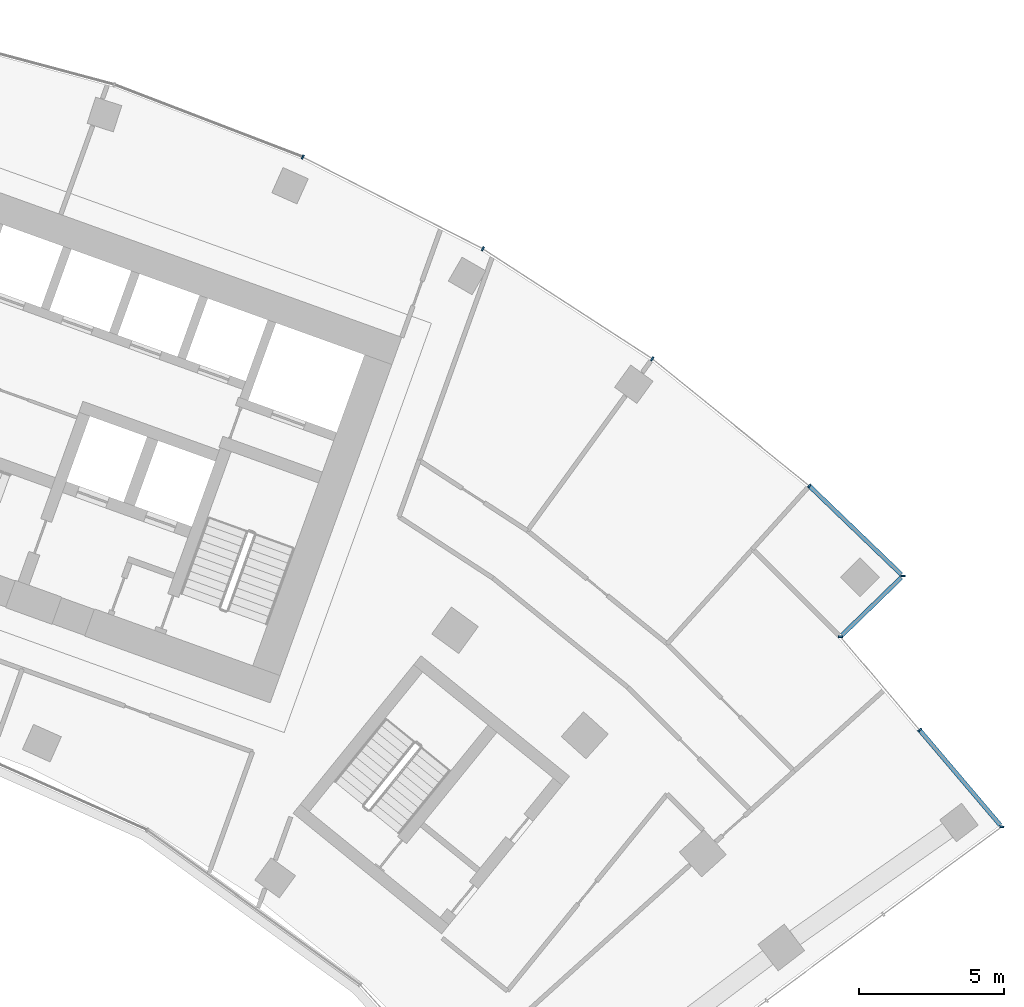
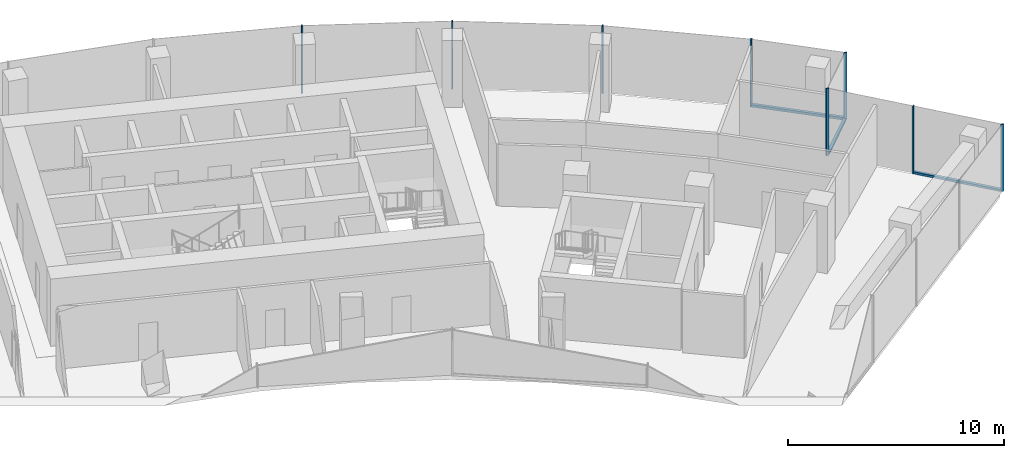
# One storey, part 8 of 18: 11 members, 3 elements without a shape of their own.
"""IFC4 building model written with IfcOpenShell, lengths in metres."""

import ifcopenshell
import ifcopenshell.guid

model = None  # the IFC model being written
_history = None  # IfcOwnerHistory: only IFC2X3 demands one
_inside = {}  # id of a spatial element -> (the spatial element, [elements in it])
_under = {}  # id of a project, library or spatial element -> (it, [spatial elements below it])
_declared = {}  # id of a project -> (the project, [libraries it declares])
_typed = {}  # id of a type object -> (the type object, [elements of that type])
_made_of = {}  # id of a material, layer set ... -> (it, [elements and type objects made of it])


def new_model(schema):
    """Start an empty IFC model of exactly this schema.

    Asked for "IFC4X3", IfcOpenShell would pick the latest addendum, in which some entities
    have other attributes; the version numbers below select the first issue.
    IFC2X3 requires an IfcOwnerHistory on every rooted entity: one is made here for all.
    """
    global model, _history
    if schema == "IFC4X3":
        model = ifcopenshell.file(schema_version=(4, 3, 0, 0))
    else:
        model = ifcopenshell.file(schema=schema)
    _inside.clear()
    _under.clear()
    _declared.clear()
    _typed.clear()
    _made_of.clear()
    _history = None
    if model.schema == "IFC2X3":
        org = make("IfcOrganization", Name="unknown")
        user = make(
            "IfcPersonAndOrganization",
            ThePerson=make("IfcPerson", FamilyName="unknown"),
            TheOrganization=org,
        )
        app = make(
            "IfcApplication",
            ApplicationDeveloper=org,
            Version="unknown",
            ApplicationFullName="unknown",
            ApplicationIdentifier="unknown",
        )
        _history = make(
            "IfcOwnerHistory",
            OwningUser=user,
            OwningApplication=app,
            ChangeAction="ADDED",
            CreationDate=0,
        )
    return model


def make(cls, **values):
    """One entity of the class cls with the attributes given. An attribute that is None is left unset."""
    return model.create_entity(
        cls, **{name: value for name, value in values.items() if value is not None}
    )


def rooted(cls, **values):
    """An entity with a GlobalId (a new one), such as an element, a storey or a relation."""
    return make(cls, GlobalId=ifcopenshell.guid.new(), OwnerHistory=_history, **values)


def si_unit(unit_type, name, prefix=None):
    """IfcSIUnit, for example si_unit("LENGTHUNIT", "METRE", prefix="MILLI")."""
    return make("IfcSIUnit", UnitType=unit_type, Prefix=prefix, Name=name)


def assignment(units):
    """IfcUnitAssignment: the units of a project."""
    return None if units is None else make("IfcUnitAssignment", Units=units)


def point(xyz):
    """IfcCartesianPoint."""
    return None if xyz is None else make("IfcCartesianPoint", Coordinates=xyz)


def direction(xyz):
    """IfcDirection."""
    return None if xyz is None else make("IfcDirection", DirectionRatios=xyz)


def frame(location, z_axis=None, x_axis=None):
    """IfcAxis2Placement3D, a coordinate frame: its origin and axes. An axis left out is left unset."""
    return make(
        "IfcAxis2Placement3D",
        Location=point(location),
        Axis=direction(z_axis),
        RefDirection=direction(x_axis),
    )


def frame_2d(location, x_axis=None):
    """IfcAxis2Placement2D, a coordinate frame in the plane: its origin and x axis."""
    return make(
        "IfcAxis2Placement2D", Location=point(location), RefDirection=direction(x_axis)
    )


def origin():
    """The frame at (0, 0, 0) with its axes left unset."""
    return frame((0.0, 0.0, 0.0))


def origin_2d():
    """The frame at (0, 0) in the plane with its x axis left unset."""
    return frame_2d((0.0, 0.0))


def place(relative_to, where):
    """IfcLocalPlacement: puts the frame where relative to a parent placement (None: the world)."""
    return make(
        "IfcLocalPlacement", PlacementRelTo=relative_to, RelativePlacement=where
    )


def context(
    kind, dimensions, precision=None, world=None, true_north=None, identifier=None
):
    """IfcGeometricRepresentationContext, for example the 3D "Model" context."""
    return make(
        "IfcGeometricRepresentationContext",
        ContextIdentifier=identifier,
        ContextType=kind,
        CoordinateSpaceDimension=dimensions,
        Precision=precision,
        WorldCoordinateSystem=world,
        TrueNorth=true_north,
    )


def subcontext(parent, identifier, kind, view, scale=None):
    """IfcGeometricRepresentationSubContext, for example "Body" below "Model"."""
    return make(
        "IfcGeometricRepresentationSubContext",
        ContextIdentifier=identifier,
        ContextType=kind,
        ParentContext=parent,
        TargetScale=scale,
        TargetView=view,
    )


def project(units=None, contexts=None):
    """IfcProject with its units and contexts."""
    return rooted(
        "IfcProject",
        Name="project",
        RepresentationContexts=contexts,
        UnitsInContext=assignment(units),
    )


def spatial(cls, under=None, at=None, **own):
    """A site, building, storey or space (cls), placed at a placement, below another one or the project."""
    s = rooted(cls, ObjectPlacement=at, **own)
    if under is not None:
        _under.setdefault(under.id(), (under, []))[1].append(s)
    return s


def profile(cls, at=None, kind="AREA", **sizes):
    """A parametric profile (cls). Its sizes go by their IFC names, for example OverallWidth=200.0."""
    return make(cls, ProfileType=kind, Position=at, **sizes)


def rectangle(**sizes):
    """IfcRectangleProfileDef."""
    return profile("IfcRectangleProfileDef", **sizes)


def extrude(swept, where, along, depth):
    """IfcExtrudedAreaSolid: the profile swept, set in the frame where, extruded along a direction by depth."""
    return make(
        "IfcExtrudedAreaSolid",
        SweptArea=swept,
        Position=where,
        ExtrudedDirection=direction(along),
        Depth=depth,
    )


def shape(context_of_items, identifier, shape_type, items):
    """IfcShapeRepresentation: the items that make up one representation, for example the "Body"."""
    return make(
        "IfcShapeRepresentation",
        ContextOfItems=context_of_items,
        RepresentationIdentifier=identifier,
        RepresentationType=shape_type,
        Items=items,
    )


def material(Name=None, Category=None):
    """IfcMaterial."""
    return make("IfcMaterial", Name=Name, Category=Category)


def layer(
    of_material, thickness, ventilated=None, Name=None, Category=None, Priority=None
):
    """IfcMaterialLayer: one layer of a wall or slab, of a material (None: an air gap)."""
    return make(
        "IfcMaterialLayer",
        Material=of_material,
        LayerThickness=thickness,
        IsVentilated=ventilated,
        Name=Name,
        Category=Category,
        Priority=Priority,
    )


def layer_set(layers, Name=None):
    """IfcMaterialLayerSet."""
    return make("IfcMaterialLayerSet", MaterialLayers=layers, LayerSetName=Name)


def material_profile(
    of_material, cross_section, Name=None, Category=None, Priority=None
):
    """IfcMaterialProfile: a cross section and its material."""
    return make(
        "IfcMaterialProfile",
        Name=Name,
        Material=of_material,
        Profile=cross_section,
        Priority=Priority,
        Category=Category,
    )


def profile_set(profiles, Name=None, composite=None):
    """IfcMaterialProfileSet."""
    return make(
        "IfcMaterialProfileSet",
        Name=Name,
        MaterialProfiles=profiles,
        CompositeProfile=composite,
    )


def made_of(thing, what):
    """Note that an element or type object is made of a material, layer set ...; save() writes the relation."""
    if what is not None:
        _made_of.setdefault(what.id(), (what, []))[1].append(thing)
    return thing


def type_object(cls, material=None, **own):
    """A type object (cls), such as IfcWallType, which elements share."""
    return made_of(rooted(cls, **own), material)


def element(
    cls,
    number,
    at=None,
    inside=None,
    cuts=None,
    type_object=None,
    material=None,
    context=None,
    identifier="Body",
    shape_type=None,
    held_by="IfcProductDefinitionShape",
    body=None,
    shapes=None,
    **own,
):
    """One element of the class cls, such as IfcWall. Its Tag is "e" and its number.

    at: its placement. inside: the storey or other place that contains it. cuts: it is an
    opening in that element (IfcRelVoidsElement). A single representation is given by context,
    identifier, shape_type and body (its items); several are given by shapes. held_by: the class
    of the entity that holds the representations. save() writes the other relations.
    """
    e = rooted(cls, Tag="e%d" % number, ObjectPlacement=at, **own)
    if body is not None:
        shapes = [shape(context, identifier, shape_type, body)]
    if shapes is not None:
        e.Representation = make(held_by, Representations=shapes)
    if inside is not None:
        _inside.setdefault(inside.id(), (inside, []))[1].append(e)
    if cuts is not None:
        rooted(
            "IfcRelVoidsElement", RelatingBuildingElement=cuts, RelatedOpeningElement=e
        )
    if type_object is not None:
        _typed.setdefault(type_object.id(), (type_object, []))[1].append(e)
    return made_of(e, material)


def aggregate(whole, parts):
    """IfcRelAggregates: a whole, such as a stair, and the parts it consists of."""
    return rooted("IfcRelAggregates", RelatingObject=whole, RelatedObjects=parts)


def save(model, path):
    """Write the relations noted so far, then the file.

    IfcRelAggregates (storeys below a building ...), IfcRelContainedInSpatialStructure (elements
    in a storey), IfcRelDefinesByType, IfcRelAssociatesMaterial and IfcRelDeclares: one each for
    every whole, place, type object, material and project.
    """
    for whole, parts in _under.values():
        aggregate(whole, parts)
    for where, things in _inside.values():
        rooted(
            "IfcRelContainedInSpatialStructure",
            RelatedElements=things,
            RelatingStructure=where,
        )
    for kind, things in _typed.values():
        rooted("IfcRelDefinesByType", RelatedObjects=things, RelatingType=kind)
    for what, things in _made_of.values():
        rooted("IfcRelAssociatesMaterial", RelatedObjects=things, RelatingMaterial=what)
    for by, libraries in _declared.values():
        rooted("IfcRelDeclares", RelatingContext=by, RelatedDefinitions=libraries)
    model.write(path)


model = new_model("IFC4")

# Units and contexts
model_context = context("Model", 3, precision=1e-05, world=origin(), true_north=direction((0.0, 1.0)))
body_context = subcontext(model_context, "Body", "Model", "MODEL_VIEW")
ifc_project = project(units=[si_unit("LENGTHUNIT", "METRE"), si_unit("AREAUNIT", "SQUARE_METRE"), si_unit("VOLUMEUNIT", "CUBIC_METRE"), si_unit("PLANEANGLEUNIT", "RADIAN"), si_unit("MASSUNIT", "GRAM", prefix="KILO")], contexts=[model_context])

# Site, building, storey
site_placement = place(None, origin())
site = spatial("IfcSite", under=ifc_project, at=site_placement, CompositionType="ELEMENT")
building_placement = place(site_placement, origin())
building = spatial("IfcBuilding", under=site, at=building_placement, Name="Stone Belt Terrace Tower", CompositionType="ELEMENT")
storey_placement = place(building_placement, frame((0.0, 0.0, 239.0)))
storey = spatial("IfcBuildingStorey", under=building, at=storey_placement, Name="L58", CompositionType="ELEMENT", Elevation=239.0)

# Curtain wall, members
ifc_material = material(Name="Aluminium 6063-T6 anodised frame", Category="aluminium")
ifc_layer_1 = layer(ifc_material, 0.14990234375)
ifc_layer_set_1 = layer_set([ifc_layer_1], Name="CW-A unitised convex-face curtain wall")
curtain_wall_type_1 = type_object("IfcCurtainWallType", Name="CW-A unitised convex-face curtain wall", PredefinedType="NOTDEFINED", material=ifc_layer_set_1)
curtain_wall_1_placement = place(storey_placement, origin())
curtain_wall_1 = element("IfcCurtainWall", 1, at=curtain_wall_1_placement, inside=storey, type_object=curtain_wall_type_1, Name="CW-A convex face L58", PredefinedType="NOTDEFINED")
ifc_material_profile_1 = material_profile(ifc_material, rectangle(XDim=0.14990234375, YDim=0.06005859375, at=origin_2d()), Name="Aluminium 6063-T6 60x150")
ifc_profile_set_1 = profile_set([ifc_material_profile_1], Name="Aluminium 6063-T6 anodised frame")
member_type_1 = type_object("IfcMemberType", Name="CW-A mullion 60 x 150", PredefinedType="MULLION", material=ifc_profile_set_1)
member_1_placement = place(storey_placement, frame((47.775390625, 46.369140625, 0.0), z_axis=(0.0, 0.0, 1.0), x_axis=(-0.999996264646, -0.002733257028, 0.0)))
member_1 = element("IfcMember", 2, at=member_1_placement, type_object=member_type_1, Name="CW-A mullion 1", PredefinedType="MULLION", context=body_context, shape_type="SweptSolid", body=[
    extrude(rectangle(XDim=0.14990234375, YDim=0.06005859375, at=origin_2d()), origin(), (0.0, 0.0, 1.0), 3.800048828125),
])
member_2_placement = place(storey_placement, frame((44.546875, 49.475341796875, 0.0), z_axis=(0.0, 0.0, 1.0), x_axis=(-0.661937409618, -0.749559114245, 0.0)))
member_2 = element("IfcMember", 3, at=member_2_placement, type_object=member_type_1, Name="CW-A mullion 2", PredefinedType="MULLION", context=body_context, shape_type="SweptSolid", body=[
    extrude(rectangle(XDim=0.14990234375, YDim=0.06005859375, at=origin_2d()), origin(), (0.0, 0.0, 1.0), 3.800048828125),
])
member_3_placement = place(storey_placement, frame((39.1318359375, 53.8603515625, 0.0), z_axis=(0.0, 0.0, 1.0), x_axis=(-0.587785252292, -0.809016994375, 0.0)))
member_3 = element("IfcMember", 4, at=member_3_placement, type_object=member_type_1, Name="CW-A mullion 3", PredefinedType="MULLION", context=body_context, shape_type="SweptSolid", body=[
    extrude(rectangle(XDim=0.14990234375, YDim=0.06005859375, at=origin_2d()), origin(), (0.0, 0.0, 1.0), 3.800048828125),
])
member_4_placement = place(storey_placement, frame((33.28759765625, 57.65576171875, 0.0), z_axis=(0.0, 0.0, 1.0), x_axis=(-0.5, -0.866025403784, 0.0)))
member_4 = element("IfcMember", 5, at=member_4_placement, type_object=member_type_1, Name="CW-A mullion 4", PredefinedType="MULLION", context=body_context, shape_type="SweptSolid", body=[
    extrude(rectangle(XDim=0.14990234375, YDim=0.06005859375, at=origin_2d()), origin(), (0.0, 0.0, 1.0), 3.800048828125),
])
member_5_placement = place(storey_placement, frame((27.07861328125, 60.8193359375, 0.0), z_axis=(0.0, 0.0, 1.0), x_axis=(-0.406736643076, -0.913545457643, 0.0)))
member_5 = element("IfcMember", 6, at=member_5_placement, type_object=member_type_1, Name="CW-A mullion 5", PredefinedType="MULLION", context=body_context, shape_type="SweptSolid", body=[
    extrude(rectangle(XDim=0.14990234375, YDim=0.06005859375, at=origin_2d()), origin(), (0.0, 0.0, 1.0), 3.800048828125),
])
ifc_material_profile_2 = material_profile(ifc_material, rectangle(XDim=0.14990234375, YDim=0.139892578125, at=origin_2d()), Name="Aluminium 6063-T6 150x140")
ifc_profile_set_2 = profile_set([ifc_material_profile_2], Name="Aluminium 6063-T6 anodised frame")
member_type_2 = type_object("IfcMemberType", Name="CW-A transom 140 x 150", PredefinedType="USERDEFINED", material=ifc_profile_set_2)
member_6_placement = place(storey_placement, frame((47.721435546875, 46.4208984375, 0.070068359375), z_axis=(-0.720600183576, 0.693350831419, 0.0), x_axis=(-0.693350831419, -0.720600183576, 0.0)))
member_6 = element("IfcMember", 7, at=member_6_placement, type_object=member_type_2, Name="CW-A transom 1.1", ObjectType="TRANSOM", PredefinedType="USERDEFINED", context=body_context, shape_type="SweptSolid", body=[
    extrude(rectangle(XDim=0.14990234375, YDim=0.139892578125, at=origin_2d()), origin(), (0.0, 0.0, 1.0), 4.372314453125),
])
aggregate(curtain_wall_1, [member_1, member_2, member_3, member_4, member_5, member_6])

ifc_layer_2 = layer(ifc_material, 0.14990234375)
ifc_layer_set_2 = layer_set([ifc_layer_2], Name="CW-C stick curtain wall, horn ends and notches")
curtain_wall_type_2 = type_object("IfcCurtainWallType", Name="CW-C stick curtain wall, horn ends and notches", PredefinedType="NOTDEFINED", material=ifc_layer_set_2)
curtain_wall_2_placement = place(storey_placement, origin())
curtain_wall_2 = element("IfcCurtainWall", 8, at=curtain_wall_2_placement, inside=storey, type_object=curtain_wall_type_2, Name="CW-C notch face L58", PredefinedType="NOTDEFINED")
ifc_material_profile_3 = material_profile(ifc_material, rectangle(XDim=0.14990234375, YDim=0.06005859375, at=origin_2d()), Name="Aluminium 6063-T6 60x150")
ifc_profile_set_3 = profile_set([ifc_material_profile_3], Name="Aluminium 6063-T6 anodised frame")
member_type_3 = type_object("IfcMemberType", Name="CW-C mullion 60 x 150", PredefinedType="MULLION", material=ifc_profile_set_3)
member_7_placement = place(storey_placement, frame((51.18408203125, 37.718017578125, 0.0), z_axis=(0.0, 0.0, 1.0), x_axis=(-0.993358853918, 0.115057321987, 0.0)))
member_7 = element("IfcMember", 9, at=member_7_placement, type_object=member_type_3, Name="CW-C mullion 1", PredefinedType="MULLION", context=body_context, shape_type="SweptSolid", body=[
    extrude(rectangle(XDim=0.14990234375, YDim=0.06005859375, at=origin_2d()), origin(), (0.0, 0.0, 1.0), 3.800048828125),
])
member_8_placement = place(storey_placement, frame((48.35302734375, 41.052490234375, 0.0), z_axis=(0.0, 0.0, 1.0), x_axis=(-0.762310954743, -0.647210945735, 0.0)))
member_8 = element("IfcMember", 10, at=member_8_placement, type_object=member_type_3, Name="CW-C mullion 2", PredefinedType="MULLION", context=body_context, shape_type="SweptSolid", body=[
    extrude(rectangle(XDim=0.14990234375, YDim=0.06005859375, at=origin_2d()), origin(), (0.0, 0.0, 1.0), 3.800048828125),
])

# Curtain wall, member
curtain_wall_3_placement = place(storey_placement, origin())
curtain_wall_3 = element("IfcCurtainWall", 11, at=curtain_wall_3_placement, inside=storey, type_object=curtain_wall_type_2, Name="CW-C notch face L58", PredefinedType="NOTDEFINED")
member_9_placement = place(storey_placement, frame((45.61962890625, 44.27197265625, 0.0), z_axis=(0.0, 0.0, 1.0), x_axis=(-0.998865261612, 0.047625509398, 0.0)))
member_9 = element("IfcMember", 12, at=member_9_placement, type_object=member_type_3, Name="CW-C mullion 1", PredefinedType="MULLION", context=body_context, shape_type="SweptSolid", body=[
    extrude(rectangle(XDim=0.14990234375, YDim=0.06005859375, at=origin_2d()), origin(), (0.0, 0.0, 1.0), 3.800048828125),
])

# Member
ifc_material_profile_4 = material_profile(ifc_material, rectangle(XDim=0.14990234375, YDim=0.1201171875, at=origin_2d()), Name="Aluminium 6063-T6 150x120")
ifc_profile_set_4 = profile_set([ifc_material_profile_4], Name="Aluminium 6063-T6 anodised frame")
member_type_4 = type_object("IfcMemberType", Name="CW-C transom 120 x 150", PredefinedType="USERDEFINED", material=ifc_profile_set_4)
member_10_placement = place(storey_placement, frame((51.13525390625, 37.775390625, 0.06005859375), z_axis=(-0.647195078608, 0.762324425836, 0.0), x_axis=(-0.762324425836, -0.647195078608, 0.0)))
member_10 = element("IfcMember", 13, at=member_10_placement, type_object=member_type_4, Name="CW-C transom 1.1", ObjectType="TRANSOM", PredefinedType="USERDEFINED", context=body_context, shape_type="SweptSolid", body=[
    extrude(rectangle(XDim=0.14990234375, YDim=0.1201171875, at=origin_2d()), origin(), (0.0, 0.0, 1.0), 4.268798828125),
])

aggregate(curtain_wall_2, [member_7, member_8, member_10])

member_11_placement = place(storey_placement, frame((45.671875, 44.322998046875, 0.06005859375), z_axis=(0.716814728684, 0.697263683797, 0.0), x_axis=(-0.697263683797, 0.716814728684, 0.0)))
member_11 = element("IfcMember", 14, at=member_11_placement, type_object=member_type_4, Name="CW-C transom 1.1", ObjectType="TRANSOM", PredefinedType="USERDEFINED", context=body_context, shape_type="SweptSolid", body=[
    extrude(rectangle(XDim=0.14990234375, YDim=0.1201171875, at=origin_2d()), origin(), (0.0, 0.0, 1.0), 2.859619140625),
])

aggregate(curtain_wall_3, [member_9, member_11])

save(model, "model.ifc")
